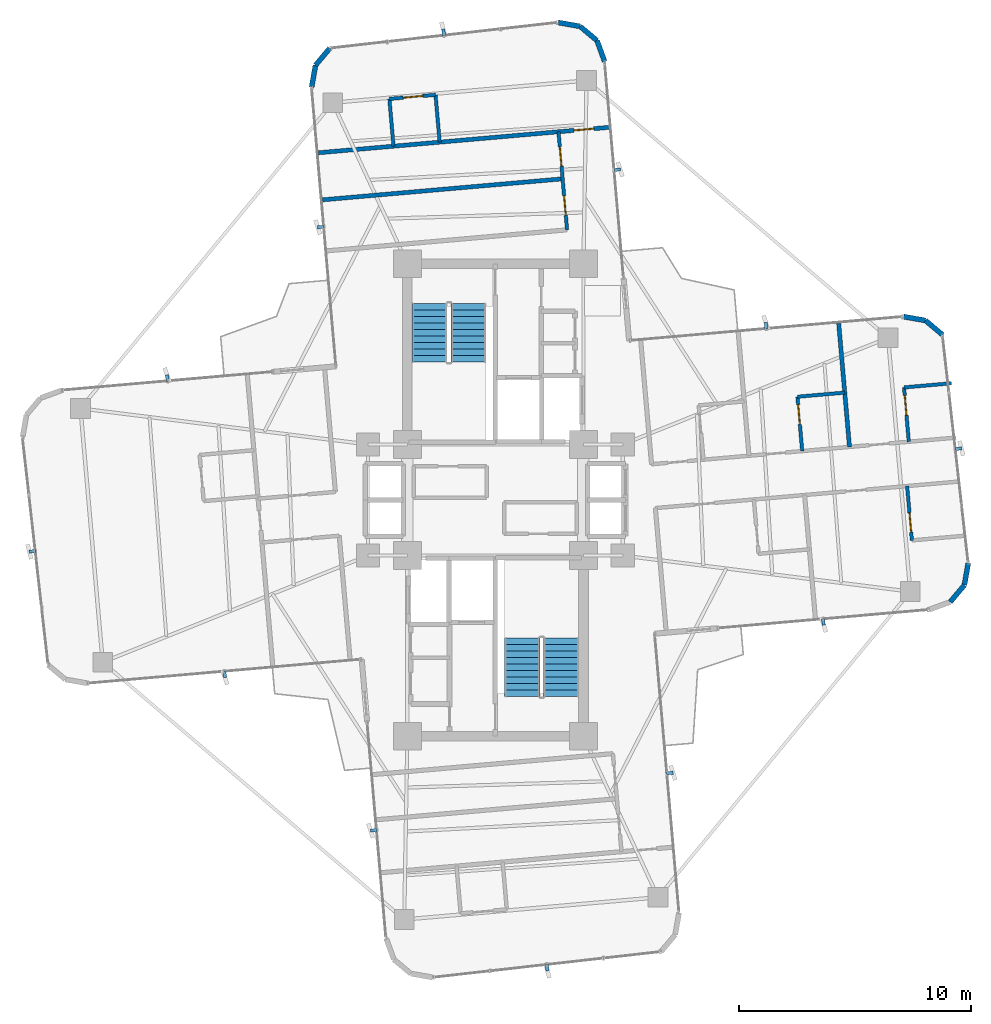
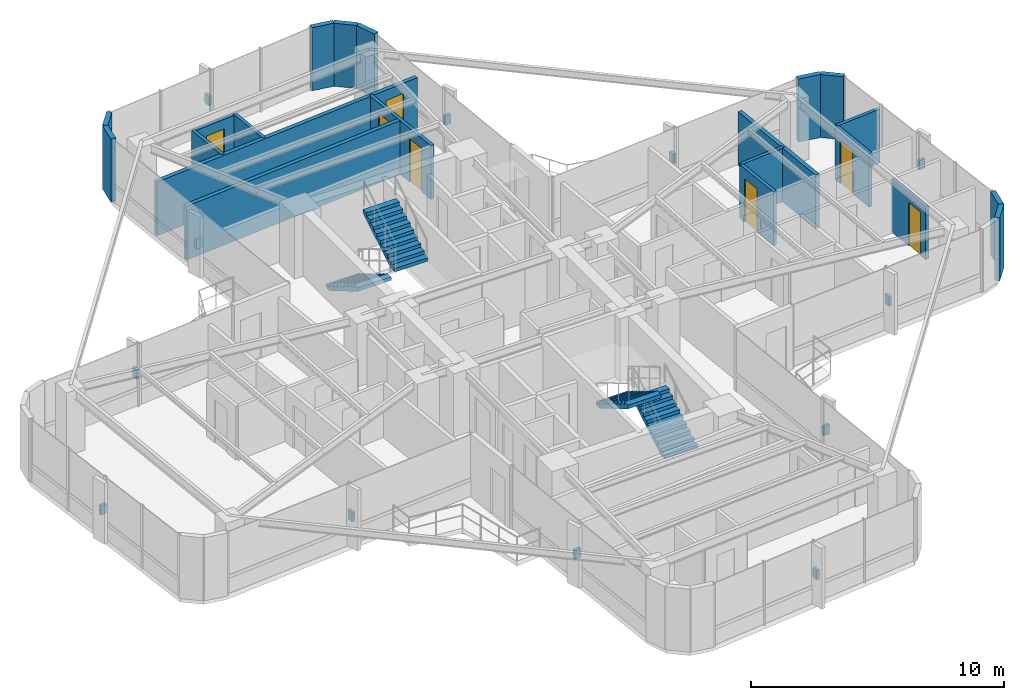
# One storey, part 23 of 24: 21 walls, 12 discrete accessories, 7 doors, 4 stair flights, 7 openings, 2 elements without a shape of their own.
"""IFC4 building model written with IfcOpenShell, lengths in metres."""

from ifc_helpers import new_model, si_unit, direction, frame, frame_2d, origin, origin_2d, place, context, subcontext, project, spatial, polyline, rectangle, outline, extrude, source, transform, mapped, material, layer, layer_set, type_object, element, fill, aggregate, save


model = new_model("IFC4")

# Units and contexts
model_context = context("Model", 3, precision=1e-05, world=origin(), true_north=direction((0.0, 1.0)))
body_context = subcontext(model_context, "Body", "Model", "MODEL_VIEW")
ifc_project = project(units=[si_unit("LENGTHUNIT", "METRE"), si_unit("AREAUNIT", "SQUARE_METRE"), si_unit("VOLUMEUNIT", "CUBIC_METRE"), si_unit("PLANEANGLEUNIT", "RADIAN"), si_unit("MASSUNIT", "GRAM", prefix="KILO")], contexts=[model_context])

# Site, building, storey
site_placement = place(None, origin())
site = spatial("IfcSite", under=ifc_project, at=site_placement, CompositionType="ELEMENT")
building_placement = place(site_placement, origin())
building = spatial("IfcBuilding", under=site, at=building_placement, Name="Sahyath Konkavel Grand Hotel", CompositionType="ELEMENT")
storey_placement = place(building_placement, frame((0.0, 0.0, 167.35009765625)))
storey = spatial("IfcBuildingStorey", under=building, at=storey_placement, Name="L46", CompositionType="ELEMENT", Elevation=167.35009765625)

# Walls
ifc_material_1 = material(Name="Warm Buff Sandstone Insulated Concrete C40/50", Category="masonry")
ifc_layer_1 = layer(ifc_material_1, 0.219970703125)
ifc_layer_set_1 = layer_set([ifc_layer_1], Name="Warm Buff Sandstone Insulated Concrete C40/50")
wall_type_1 = type_object("IfcWallType", Name="WLL-BALC-THRESH", PredefinedType="STANDARD", material=ifc_layer_set_1)
for number, where, z_axis, x_axis, name in (
    (1, (19.6337890625, -4.40771484375, 0.0), (0.0, 0.0, 1.0), (0.642863236823, 0.765980978054, 0.0), "L46 Rounded Corner Sandstone Pier 2"),
    (2, (20.24951171875, -3.674072265625, 0.0), (0.0, 0.0, 1.0), (0.173610811841, 0.984814340885, 0.0), "L46 Rounded Corner Sandstone Pier 3"),
):
    element("IfcWall", number, at=place(storey_placement, frame(where, z_axis=z_axis, x_axis=x_axis)), inside=storey, type_object=wall_type_1, Name=name, PredefinedType="STANDARD", context=body_context, shape_type="SweptSolid", body=[
        extrude(rectangle(XDim=0.957763671875, YDim=0.219970703125, at=frame_2d((0.47900390625, 0.0))), origin(), (0.0, 0.0, 1.0), 3.0498046875),
    ])
wall_1_placement = place(storey_placement, frame((19.3037109375, 7.134521484375, 0.0), z_axis=(0.0, 0.0, 1.0), x_axis=(-0.766001159887, 0.642839189107, 0.0)))
element("IfcWall", 3, at=wall_1_placement, inside=storey, type_object=wall_type_1, Name="L46 Rounded Corner Sandstone Pier 5", PredefinedType="STANDARD", context=body_context, shape_type="SweptSolid", body=[
    extrude(rectangle(XDim=0.95751953125, YDim=0.219970703125, at=frame_2d((0.478759765625, 0.0))), origin(), (0.0, 0.0, 1.0), 3.0498046875),
])
wall_2_placement = place(storey_placement, frame((18.5703125, 7.75, 0.0), z_axis=(0.0, 0.0, 1.0), x_axis=(-0.984770724397, 0.173858046606, 0.0)))
element("IfcWall", 4, at=wall_2_placement, inside=storey, type_object=wall_type_1, Name="L46 Rounded Corner Sandstone Pier 6", PredefinedType="STANDARD", context=body_context, shape_type="SweptSolid", body=[
    extrude(rectangle(XDim=0.957763671875, YDim=0.219970703125, at=frame_2d((0.47900390625, 0.0))), origin(), (0.0, 0.0, 1.0), 3.0498046875),
])
wall_3_placement = place(storey_placement, frame((4.7177734375, 18.93310546875, 0.0), z_axis=(0.0, 0.0, 1.0), x_axis=(-0.34188635151, 0.939741306239, 0.0)))
element("IfcWall", 5, at=wall_3_placement, inside=storey, type_object=wall_type_1, Name="L46 Rounded Corner Sandstone Pier 9", PredefinedType="STANDARD", context=body_context, shape_type="SweptSolid", body=[
    extrude(rectangle(XDim=0.95751953125, YDim=0.219970703125, at=frame_2d((0.478759765625, 0.0))), origin(), (0.0, 0.0, 1.0), 3.0498046875),
])
for number, where, z_axis, x_axis, name in (
    (6, (4.390380859375, 19.8330078125, 0.0), (0.0, 0.0, 1.0), (-0.765980978054, 0.642863236823, 0.0), "L46 Rounded Corner Sandstone Pier 10"),
    (7, (3.65673828125, 20.44873046875, 0.0), (0.0, 0.0, 1.0), (-0.984814340885, 0.173610811841, 0.0), "L46 Rounded Corner Sandstone Pier 11"),
):
    element("IfcWall", number, at=place(storey_placement, frame(where, z_axis=z_axis, x_axis=x_axis)), inside=storey, type_object=wall_type_1, Name=name, PredefinedType="STANDARD", context=body_context, shape_type="SweptSolid", body=[
        extrude(rectangle(XDim=0.957763671875, YDim=0.219970703125, at=frame_2d((0.47900390625, 0.0))), origin(), (0.0, 0.0, 1.0), 3.0498046875),
    ])
for number, where, z_axis, x_axis, name in (
    (8, (-7.152099609375, 19.5029296875, 0.0), (0.0, 0.0, 1.0), (-0.642713642115, -0.766106503196, 0.0), "L46 Rounded Corner Sandstone Pier 13"),
    (9, (-7.767578125, 18.769287109375, 0.0), (0.0, 0.0, 1.0), (-0.173654409999, -0.984806654064, 0.0), "L46 Rounded Corner Sandstone Pier 14"),
):
    element("IfcWall", number, at=place(storey_placement, frame(where, z_axis=z_axis, x_axis=x_axis)), inside=storey, type_object=wall_type_1, Name=name, PredefinedType="STANDARD", context=body_context, shape_type="SweptSolid", body=[
        extrude(rectangle(XDim=0.95751953125, YDim=0.219970703125, at=frame_2d((0.478759765625, 0.0))), origin(), (0.0, 0.0, 1.0), 3.0498046875),
    ])
ifc_material_2 = material(Name="Twin-Stud Acoustic Gypsum Plasterboard Partition")
ifc_layer_2 = layer(ifc_material_2, 0.179931640625)
ifc_layer_set_2 = layer_set([ifc_layer_2], Name="Twin-Stud Acoustic Gypsum Plasterboard Partition")
wall_type_2 = type_object("IfcWallType", Name="WLL-DEMISE-180", PredefinedType="PARTITIONING", material=ifc_layer_set_2)
wall_4_placement = place(storey_placement, frame((15.28857421875, 2.291259765625, 0.0), z_axis=(0.0, 0.0, 1.0), x_axis=(-0.087161289348, 0.996194212812, 0.0)))
element("IfcWall", 10, at=wall_4_placement, inside=storey, type_object=wall_type_2, Name="L46 Partition E-E2L-DEM", PredefinedType="PARTITIONING", context=body_context, shape_type="SweptSolid", body=[
    extrude(rectangle(XDim=5.349853515625, YDim=0.179931640625, at=frame_2d((2.6748046875, 0.0))), origin(), (0.0, 0.0, 1.0), 2.599853515625),
])
wall_5_placement = place(storey_placement, frame((2.902587890625, 13.86572265625, 0.0), z_axis=(0.0, 0.0, 1.0), x_axis=(-0.996194201607, -0.087161417409, 0.0)))
element("IfcWall", 11, at=wall_5_placement, inside=storey, type_object=wall_type_2, Name="L46 Partition N-NSL6-DEM", PredefinedType="PARTITIONING", context=body_context, shape_type="SweptSolid", body=[
    extrude(rectangle(XDim=10.400146484375, YDim=0.179931640625, at=frame_2d((5.2001953125, 0.0))), origin(), (0.0, 0.0, 1.0), 2.599853515625),
])

# Wall, opening, door
wall_6_placement = place(storey_placement, frame((4.91650390625, 16.089599609375, 0.0), z_axis=(0.0, 0.0, 1.0), x_axis=(-0.996196619285, -0.087133780622, 0.0)))
wall_6 = element("IfcWall", 12, at=wall_6_placement, inside=storey, type_object=wall_type_2, Name="L46 Partition N-NTIP-END", PredefinedType="PARTITIONING", context=body_context, shape_type="SweptSolid", body=[
    extrude(rectangle(XDim=12.60009765625, YDim=0.179931640625, at=frame_2d((6.300048828125, 0.0))), origin(), (0.0, 0.0, 1.0), 2.599853515625),
])
opening_1_placement = place(wall_6_placement, frame((0.675048828125, 0.0, 0.0)))
opening_1 = element("IfcOpeningElement", 13, at=opening_1_placement, cuts=wall_6, Name="Opening D-F06D", PredefinedType="OPENING", context=body_context, shape_type="SweptSolid", body=[
    extrude(rectangle(XDim=0.85009765625, YDim=2.10009765625, at=frame_2d((0.425048828125, 1.050048828125))), frame((0.0, 0.10009765625, 0.0), z_axis=(0.0, -1.0, 0.0), x_axis=(1.0, 0.0, 0.0)), (0.0, 0.0, 1.0), 0.199951171875),
])
ifc_material_3 = material(Name="Fire-Rated Shaft Access Door")
door_type_1 = type_object("IfcDoorType", Name="DR-FD60-850", OperationType="NOTDEFINED", PredefinedType="DOOR", material=ifc_material_3)
shared_shape_1 = source(origin(), body_context, "Body", "SweptSolid", [
    extrude(rectangle(XDim=0.85009765625, YDim=0.050048828125, at=origin_2d()), origin(), (0.0, 0.0, 1.0), 2.10009765625),
])
door_1_placement = place(opening_1_placement, frame((0.425048828125, 0.0, 0.0)))
door_1 = element("IfcDoor", 14, at=door_1_placement, inside=storey, type_object=door_type_1, Name="L46 Door N-NTIP-ED", OperationType="SINGLE_SWING_LEFT", OverallHeight=2.10009765625, OverallWidth=0.85009765625, PredefinedType="DOOR", context=body_context, shape_type="MappedRepresentation", body=[
    mapped(shared_shape_1, transform((0.0, 0.0, 0.0), scale=1.0)),
])
fill(opening_1, door_1)

ifc_material_4 = material(Name="Fire-Rated Gypsum Plasterboard Partition")
ifc_layer_3 = layer(ifc_material_4, 0.14990234375)
ifc_layer_set_3 = layer_set([ifc_layer_3], Name="Fire-Rated Gypsum Plasterboard Partition")
wall_type_3 = type_object("IfcWallType", Name="WLL-PART-150", PredefinedType="PARTITIONING", material=ifc_layer_set_3)
wall_7_placement = place(storey_placement, frame((13.246337890625, 2.112548828125, 0.0), z_axis=(0.0, 0.0, 1.0), x_axis=(-0.087224846905, 0.996188649846, 0.0)))
wall_7 = element("IfcWall", 15, at=wall_7_placement, inside=storey, type_object=wall_type_3, Name="L46 Partition E-E2L-BS", PredefinedType="PARTITIONING", context=body_context, shape_type="SweptSolid", body=[
    extrude(rectangle(XDim=2.35400390625, YDim=0.14990234375, at=frame_2d((1.177001953125, 0.0))), origin(), (0.0, 0.0, 1.0), 2.599853515625),
])
opening_2_placement = place(wall_7_placement, frame((1.154052734375, 0.0, 0.0)))
opening_2 = element("IfcOpeningElement", 16, at=opening_2_placement, cuts=wall_7, Name="Opening D-BT85", PredefinedType="OPENING", context=body_context, shape_type="SweptSolid", body=[
    extrude(rectangle(XDim=0.85009765625, YDim=2.10009765625, at=frame_2d((0.425048828125, 1.050048828125))), frame((0.0, 0.0849609375, 0.0), z_axis=(0.0, -1.0, 0.0), x_axis=(1.0, 0.0, 0.0)), (0.0, 0.0, 1.0), 0.169921875),
])
ifc_material_5 = material(Name="Moisture-Resistant Teak Bathroom Door")
door_type_2 = type_object("IfcDoorType", Name="DR-BATH-850", OperationType="NOTDEFINED", PredefinedType="DOOR", material=ifc_material_5)
door_2_placement = place(opening_2_placement, frame((0.425048828125, 0.0, 0.0)))
door_2 = element("IfcDoor", 17, at=door_2_placement, inside=storey, type_object=door_type_2, Name="L46 Door E-E2L-BD", OperationType="SINGLE_SWING_RIGHT", OverallHeight=2.10009765625, OverallWidth=0.85009765625, PredefinedType="DOOR", context=body_context, shape_type="MappedRepresentation", body=[
    mapped(shared_shape_1, transform((0.0, 0.0, 0.0), scale=1.0)),
])
fill(opening_2, door_2)

# Wall
wall_8_placement = place(storey_placement, frame((13.041015625, 4.45751953125, 0.0), z_axis=(0.0, 0.0, 1.0), x_axis=(0.99619307114, 0.087174336889, 0.0)))
element("IfcWall", 18, at=wall_8_placement, inside=storey, type_object=wall_type_3, Name="L46 Partition E-E2L-BF", PredefinedType="PARTITIONING", context=body_context, shape_type="SweptSolid", body=[
    extrude(rectangle(XDim=2.050048828125, YDim=0.14990234375, at=frame_2d((1.02490234375, 0.0))), origin(), (0.0, 0.0, 1.0), 2.599853515625),
])

# Wall, opening, door
wall_9_placement = place(storey_placement, frame((17.8486328125, 2.51513671875, 0.0), z_axis=(0.0, 0.0, 1.0), x_axis=(-0.087121918963, 0.996197656711, 0.0)))
wall_9 = element("IfcWall", 19, at=wall_9_placement, inside=storey, type_object=wall_type_3, Name="L46 Partition E-E3L-BS", PredefinedType="PARTITIONING", context=body_context, shape_type="SweptSolid", body=[
    extrude(rectangle(XDim=2.35400390625, YDim=0.14990234375, at=frame_2d((1.177001953125, 0.0))), origin(), (0.0, 0.0, 1.0), 2.599853515625),
])
opening_3_placement = place(wall_9_placement, frame((1.154052734375, 0.0, 0.0)))
opening_3 = element("IfcOpeningElement", 20, at=opening_3_placement, cuts=wall_9, Name="Opening D-BT85", PredefinedType="OPENING", context=body_context, shape_type="SweptSolid", body=[
    extrude(rectangle(XDim=0.85009765625, YDim=2.10009765625, at=frame_2d((0.425048828125, 1.050048828125))), frame((0.0, 0.0849609375, 0.0), z_axis=(0.0, -1.0, 0.0), x_axis=(1.0, 0.0, 0.0)), (0.0, 0.0, 1.0), 0.169921875),
])
door_3_placement = place(opening_3_placement, frame((0.425048828125, 0.0, 0.0)))
door_3 = element("IfcDoor", 21, at=door_3_placement, inside=storey, type_object=door_type_2, Name="L46 Door E-E3L-BD", OperationType="SINGLE_SWING_RIGHT", OverallHeight=2.10009765625, OverallWidth=0.85009765625, PredefinedType="DOOR", context=body_context, shape_type="MappedRepresentation", body=[
    mapped(shared_shape_1, transform((0.0, 0.0, 0.0), scale=1.0)),
])
fill(opening_3, door_3)

# Wall
wall_10_placement = place(storey_placement, frame((17.6435546875, 4.860107421875, 0.0), z_axis=(0.0, 0.0, 1.0), x_axis=(0.99619307114, 0.087174336889, 0.0)))
element("IfcWall", 22, at=wall_10_placement, inside=storey, type_object=wall_type_3, Name="L46 Partition E-E3L-BF", PredefinedType="PARTITIONING", context=body_context, shape_type="SweptSolid", body=[
    extrude(rectangle(XDim=2.050048828125, YDim=0.14990234375, at=frame_2d((1.02490234375, 0.0))), origin(), (0.0, 0.0, 1.0), 2.599853515625),
])

# Wall, opening, door
wall_11_placement = place(storey_placement, frame((17.776123046875, 0.6015625, 0.0), z_axis=(0.0, 0.0, 1.0), x_axis=(0.087224846905, -0.996188649846, 0.0)))
wall_11 = element("IfcWall", 23, at=wall_11_placement, inside=storey, type_object=wall_type_3, Name="L46 Partition E-E2R-BS", PredefinedType="PARTITIONING", context=body_context, shape_type="SweptSolid", body=[
    extrude(rectangle(XDim=2.35400390625, YDim=0.14990234375, at=frame_2d((1.177001953125, 0.0))), origin(), (0.0, 0.0, 1.0), 2.56982421875),
])
opening_4_placement = place(wall_11_placement, frame((1.154052734375, 0.0, 0.0)))
opening_4 = element("IfcOpeningElement", 24, at=opening_4_placement, cuts=wall_11, Name="Opening D-BT85", PredefinedType="OPENING", context=body_context, shape_type="SweptSolid", body=[
    extrude(rectangle(XDim=0.85009765625, YDim=2.10009765625, at=frame_2d((0.425048828125, 1.050048828125))), frame((0.0, 0.0849609375, 0.0), z_axis=(0.0, -1.0, 0.0), x_axis=(1.0, 0.0, 0.0)), (0.0, 0.0, 1.0), 0.169921875),
])
door_4_placement = place(opening_4_placement, frame((0.425048828125, 0.0, 0.0)))
door_4 = element("IfcDoor", 25, at=door_4_placement, inside=storey, type_object=door_type_2, Name="L46 Door E-E2R-BD", OperationType="SINGLE_SWING_RIGHT", OverallHeight=2.10009765625, OverallWidth=0.85009765625, PredefinedType="DOOR", context=body_context, shape_type="MappedRepresentation", body=[
    mapped(shared_shape_1, transform((0.0, 0.0, 0.0), scale=1.0)),
])
fill(opening_4, door_4)

# Wall, openings, doors
wall_12_placement = place(storey_placement, frame((3.09521484375, 11.6640625, 0.0), z_axis=(0.0, 0.0, 1.0), x_axis=(-0.087142722004, 0.996195837173, 0.0)))
wall_12 = element("IfcWall", 26, at=wall_12_placement, inside=storey, type_object=wall_type_3, Name="L46 Partition N-G6W", PredefinedType="PARTITIONING", context=body_context, shape_type="SweptSolid", body=[
    extrude(rectangle(XDim=4.25, YDim=0.14990234375, at=frame_2d((2.125, 0.0))), origin(), (0.0, 0.0, 1.0), 2.599853515625),
])
opening_5_placement = place(wall_12_placement, frame((0.6298828125, 0.0, 0.0)))
opening_5 = element("IfcOpeningElement", 27, at=opening_5_placement, cuts=wall_12, Name="Opening D-F06D", PredefinedType="OPENING", context=body_context, shape_type="SweptSolid", body=[
    extrude(rectangle(XDim=0.85009765625, YDim=2.10009765625, at=frame_2d((0.425048828125, 1.050048828125))), frame((0.0, 0.0849609375, 0.0), z_axis=(0.0, -1.0, 0.0), x_axis=(1.0, 0.0, 0.0)), (0.0, 0.0, 1.0), 0.169921875),
])
opening_6_placement = place(wall_12_placement, frame((2.7548828125, 0.0, 0.0)))
opening_6 = element("IfcOpeningElement", 28, at=opening_6_placement, cuts=wall_12, Name="Opening D-F06D", PredefinedType="OPENING", context=body_context, shape_type="SweptSolid", body=[
    extrude(rectangle(XDim=0.85009765625, YDim=2.10009765625, at=frame_2d((0.425048828125, 1.050048828125))), frame((0.0, 0.0849609375, 0.0), z_axis=(0.0, -1.0, 0.0), x_axis=(1.0, 0.0, 0.0)), (0.0, 0.0, 1.0), 0.169921875),
])
door_5_placement = place(opening_5_placement, frame((0.425048828125, 0.0, 0.0)))
door_5 = element("IfcDoor", 29, at=door_5_placement, inside=storey, type_object=door_type_1, Name="L46 Door N-NSL6-D", OperationType="SINGLE_SWING_RIGHT", OverallHeight=2.10009765625, OverallWidth=0.85009765625, PredefinedType="DOOR", context=body_context, shape_type="MappedRepresentation", body=[
    mapped(shared_shape_1, transform((0.0, 0.0, 0.0), scale=1.0)),
])
fill(opening_5, door_5)
door_6_placement = place(opening_6_placement, frame((0.425048828125, 0.0, 0.0)))
door_6 = element("IfcDoor", 30, at=door_6_placement, inside=storey, type_object=door_type_1, Name="L46 Door N-ND6-D", OperationType="SINGLE_SWING_LEFT", OverallHeight=2.10009765625, OverallWidth=0.85009765625, PredefinedType="DOOR", context=body_context, shape_type="MappedRepresentation", body=[
    mapped(shared_shape_1, transform((0.0, 0.0, 0.0), scale=1.0)),
])
fill(opening_6, door_6)

# Walls
for number, where, z_axis, x_axis, name in (
    (31, (-4.39794921875, 15.27490234375, 0.0), (0.0, 0.0, 1.0), (-0.087184680235, 0.996192165966, 0.0), "L46 Partition N-NTIP-BN"),
    (32, (-2.405517578125, 15.44921875, 0.0), (0.0, 0.0, 1.0), (-0.087184680235, 0.996192165966, 0.0), "L46 Partition N-NTIP-BS"),
):
    element("IfcWall", number, at=place(storey_placement, frame(where, z_axis=z_axis, x_axis=x_axis)), inside=storey, type_object=wall_type_3, Name=name, PredefinedType="PARTITIONING", context=body_context, shape_type="SweptSolid", body=[
        extrude(rectangle(XDim=2.0498046875, YDim=0.14990234375, at=frame_2d((1.02490234375, 0.0))), origin(), (0.0, 0.0, 1.0), 2.599853515625),
    ])

# Wall, opening, door
wall_13_placement = place(storey_placement, frame((-2.584228515625, 17.4912109375, 0.0), z_axis=(0.0, 0.0, 1.0), x_axis=(-0.99619464492, -0.087156350505, 0.0)))
wall_13 = element("IfcWall", 33, at=wall_13_placement, inside=storey, type_object=wall_type_3, Name="L46 Partition N-NTIP-BE", PredefinedType="PARTITIONING", context=body_context, shape_type="SweptSolid", body=[
    extrude(rectangle(XDim=2.0, YDim=0.14990234375, at=frame_2d((1.0, 0.0))), origin(), (0.0, 0.0, 1.0), 2.56982421875),
])
opening_7_placement = place(wall_13_placement, frame((0.550048828125, 0.0, 0.0)))
opening_7 = element("IfcOpeningElement", 34, at=opening_7_placement, cuts=wall_13, Name="Opening D-BT85", PredefinedType="OPENING", context=body_context, shape_type="SweptSolid", body=[
    extrude(rectangle(XDim=0.85009765625, YDim=2.10009765625, at=frame_2d((0.425048828125, 1.050048828125))), frame((0.0, 0.0849609375, 0.0), z_axis=(0.0, -1.0, 0.0), x_axis=(1.0, 0.0, 0.0)), (0.0, 0.0, 1.0), 0.169921875),
])
door_7_placement = place(opening_7_placement, frame((0.425048828125, 0.0, 0.0)))
door_7 = element("IfcDoor", 35, at=door_7_placement, inside=storey, type_object=door_type_2, Name="L46 Door N-NTIP-BD", OperationType="SINGLE_SWING_RIGHT", OverallHeight=2.10009765625, OverallWidth=0.85009765625, PredefinedType="DOOR", context=body_context, shape_type="MappedRepresentation", body=[
    mapped(shared_shape_1, transform((0.0, 0.0, 0.0), scale=1.0)),
])
fill(opening_7, door_7)

# Stair, stair flights
ifc_material_6 = material(Name="Concrete C40/50", Category="concrete")
stair_type = type_object("IfcStairType", Name="STR-ST16-335", PredefinedType="HALF_TURN_STAIR", material=ifc_material_6)
stair_1_placement = place(storey_placement, origin())
stair_1 = element("IfcStair", 36, at=stair_1_placement, inside=storey, type_object=stair_type, Name="L46 North Core Smokeproof Exit Stair ST-1", PredefinedType="HALF_TURN_STAIR")
stair_flight_type = type_object("IfcStairFlightType", Name="STF-ST16-335", PredefinedType="STRAIGHT", material=ifc_material_6)
stair_flight_1_placement = place(storey_placement, frame((-2.840087890625, 8.47998046875, 0.0), z_axis=(0.0, 0.0, 1.0), x_axis=(0.0, -1.0, 0.0)))
stair_flight_1 = element("IfcStairFlight", 37, at=stair_flight_1_placement, type_object=stair_flight_type, Name="ST-1 flight 1", NumberOfRisers=10, NumberOfTreads=9, PredefinedType="STRAIGHT", RiserHeight=0.1675, TreadLength=0.28, context=body_context, shape_type="SweptSolid", body=[
    extrude(outline(polyline([(0.0, 0.0), (0.0, 0.16748046875), (0.280029296875, 0.16748046875), (0.280029296875, 0.3349609375), (0.56005859375, 0.3349609375), (0.56005859375, 0.50244140625), (0.840087890625, 0.50244140625), (0.840087890625, 0.669921875), (1.1201171875, 0.669921875), (1.1201171875, 0.83740234375), (1.39990234375, 0.83740234375), (1.39990234375, 1.0048828125), (1.679931640625, 1.0048828125), (1.679931640625, 1.172607421875), (1.9599609375, 1.172607421875), (1.9599609375, 1.340087890625), (2.239990234375, 1.340087890625), (2.239990234375, 1.507568359375), (2.52001953125, 1.507568359375), (2.52001953125, 1.675048828125), (2.52001953125, 1.332763671875), (0.2919921875, 0.0), (0.0, 0.0)])), frame((0.0, 0.760009765625, 0.0), z_axis=(0.0, -1.0, 0.0), x_axis=(1.0, 0.0, 0.0)), (0.0, 0.0, 1.0), 1.52001953125),
])
stair_flight_2_placement = place(storey_placement, frame((-1.159912109375, 5.9599609375, 1.6748046875), z_axis=(0.0, 0.0, 1.0), x_axis=(0.0, 1.0, 0.0)))
stair_flight_2 = element("IfcStairFlight", 38, at=stair_flight_2_placement, type_object=stair_flight_type, Name="ST-1 flight 2", NumberOfRisers=10, NumberOfTreads=9, PredefinedType="STRAIGHT", RiserHeight=0.1675, TreadLength=0.28, context=body_context, shape_type="SweptSolid", body=[
    extrude(outline(polyline([(0.0, 0.0), (0.0, 0.16748046875), (0.280029296875, 0.16748046875), (0.280029296875, 0.3349609375), (0.56005859375, 0.3349609375), (0.56005859375, 0.50244140625), (0.840087890625, 0.50244140625), (0.840087890625, 0.669921875), (1.1201171875, 0.669921875), (1.1201171875, 0.83740234375), (1.39990234375, 0.83740234375), (1.39990234375, 1.0048828125), (1.679931640625, 1.0048828125), (1.679931640625, 1.172607421875), (1.9599609375, 1.172607421875), (1.9599609375, 1.340087890625), (2.239990234375, 1.340087890625), (2.239990234375, 1.507568359375), (2.52001953125, 1.507568359375), (2.52001953125, 1.675048828125), (2.52001953125, 1.332763671875), (0.2919921875, 0.0), (0.0, 0.0)])), frame((0.0, 0.760009765625, 0.0), z_axis=(0.0, -1.0, 0.0), x_axis=(1.0, 0.0, 0.0)), (0.0, 0.0, 1.0), 1.52001953125),
])
aggregate(stair_1, [stair_flight_1, stair_flight_2])

stair_2_placement = place(storey_placement, origin())
stair_2 = element("IfcStair", 39, at=stair_2_placement, inside=storey, type_object=stair_type, Name="L46 South Core Smokeproof Exit Stair ST-2", PredefinedType="HALF_TURN_STAIR")
stair_flight_3_placement = place(storey_placement, frame((2.840087890625, -8.47998046875, 0.0), z_axis=(0.0, 0.0, 1.0), x_axis=(0.0, 1.0, 0.0)))
stair_flight_3 = element("IfcStairFlight", 40, at=stair_flight_3_placement, type_object=stair_flight_type, Name="ST-2 flight 1", NumberOfRisers=10, NumberOfTreads=9, PredefinedType="STRAIGHT", RiserHeight=0.1675, TreadLength=0.28, context=body_context, shape_type="SweptSolid", body=[
    extrude(outline(polyline([(0.0, 0.0), (0.0, 0.16748046875), (0.280029296875, 0.16748046875), (0.280029296875, 0.3349609375), (0.56005859375, 0.3349609375), (0.56005859375, 0.50244140625), (0.840087890625, 0.50244140625), (0.840087890625, 0.669921875), (1.1201171875, 0.669921875), (1.1201171875, 0.83740234375), (1.39990234375, 0.83740234375), (1.39990234375, 1.0048828125), (1.679931640625, 1.0048828125), (1.679931640625, 1.172607421875), (1.9599609375, 1.172607421875), (1.9599609375, 1.340087890625), (2.239990234375, 1.340087890625), (2.239990234375, 1.507568359375), (2.52001953125, 1.507568359375), (2.52001953125, 1.675048828125), (2.52001953125, 1.332763671875), (0.2919921875, 0.0), (0.0, 0.0)])), frame((0.0, 0.760009765625, 0.0), z_axis=(0.0, -1.0, 0.0), x_axis=(1.0, 0.0, 0.0)), (0.0, 0.0, 1.0), 1.52001953125),
])
stair_flight_4_placement = place(storey_placement, frame((1.159912109375, -5.9599609375, 1.6748046875), z_axis=(0.0, 0.0, 1.0), x_axis=(0.0, -1.0, 0.0)))
stair_flight_4 = element("IfcStairFlight", 41, at=stair_flight_4_placement, type_object=stair_flight_type, Name="ST-2 flight 2", NumberOfRisers=10, NumberOfTreads=9, PredefinedType="STRAIGHT", RiserHeight=0.1675, TreadLength=0.28, context=body_context, shape_type="SweptSolid", body=[
    extrude(outline(polyline([(0.0, 0.0), (0.0, 0.16748046875), (0.280029296875, 0.16748046875), (0.280029296875, 0.3349609375), (0.56005859375, 0.3349609375), (0.56005859375, 0.50244140625), (0.840087890625, 0.50244140625), (0.840087890625, 0.669921875), (1.1201171875, 0.669921875), (1.1201171875, 0.83740234375), (1.39990234375, 0.83740234375), (1.39990234375, 1.0048828125), (1.679931640625, 1.0048828125), (1.679931640625, 1.172607421875), (1.9599609375, 1.172607421875), (1.9599609375, 1.340087890625), (2.239990234375, 1.340087890625), (2.239990234375, 1.507568359375), (2.52001953125, 1.507568359375), (2.52001953125, 1.675048828125), (2.52001953125, 1.332763671875), (0.2919921875, 0.0), (0.0, 0.0)])), frame((0.0, 0.760009765625, 0.0), z_axis=(0.0, -1.0, 0.0), x_axis=(1.0, 0.0, 0.0)), (0.0, 0.0, 1.0), 1.52001953125),
])
aggregate(stair_2, [stair_flight_3, stair_flight_4])

# Discrete accessories
ifc_material_7 = material(Name="Steel E350", Category="steel")
discrete_accessory_type = type_object("IfcDiscreteAccessoryType", Name="ACC-FIN-BRACKET", PredefinedType="BRACKET", material=ifc_material_7)
shared_shape_2 = source(origin(), body_context, "Body", "SweptSolid", [
    extrude(rectangle(XDim=0.280029296875, YDim=0.139892578125, at=origin_2d()), origin(), (0.0, 0.0, 1.0), 0.449951171875),
])
for number, where, z_axis, x_axis, name in (
    (42, (14.162841796875, -5.265625, 1.2998046875), (0.0, 0.0, 1.0), (0.087155742748, -0.996194698092, 0.0), "L46 Fin Support Bracket F0-1"),
    (43, (19.989013671875, 2.21630859375, 1.2998046875), (0.0, 0.0, 1.0), (0.993709417943, 0.111989252568, 0.0), "L46 Fin Support Bracket F4-2"),
    (44, (11.6884765625, 7.52734375, 1.2998046875), (0.0, 0.0, 1.0), (-0.087155742748, 0.996194698092, 0.0), "L46 Fin Support Bracket F7-1"),
    (45, (5.2568359375, 14.262451171875, 1.2998046875), (0.0, 0.0, 1.0), (0.996194698092, 0.087155742748, 0.0), "L46 Fin Support Bracket F8-1"),
    (46, (-2.23388671875, 20.188232421875, 1.2998046875), (0.0, 0.0, 1.0), (-0.112006596052, 0.993707463211, 0.0), "L46 Fin Support Bracket F12-2"),
    (47, (-7.5361328125, 11.7880859375, 1.2998046875), (0.0, 0.0, 1.0), (-0.996194698092, -0.087155742748, 0.0), "L46 Fin Support Bracket F15-1"),
    (48, (-14.162841796875, 5.265625, 1.2998046875), (0.0, 0.0, 1.0), (-0.087155742748, 0.996194698092, 0.0), "L46 Fin Support Bracket F16-1"),
    (49, (-19.989013671875, -2.21630859375, 1.2998046875), (0.0, 0.0, 1.0), (-0.993709417943, -0.111989252568, 0.0), "L46 Fin Support Bracket F20-2"),
    (50, (-11.6884765625, -7.52734375, 1.2998046875), (0.0, 0.0, 1.0), (0.087155742748, -0.996194698092, 0.0), "L46 Fin Support Bracket F23-1"),
    (51, (-5.2568359375, -14.262451171875, 1.2998046875), (0.0, 0.0, 1.0), (-0.996194698092, -0.087155742748, 0.0), "L46 Fin Support Bracket F24-1"),
    (52, (2.23388671875, -20.188232421875, 1.2998046875), (0.0, 0.0, 1.0), (0.112006596052, -0.993707463211, 0.0), "L46 Fin Support Bracket F28-2"),
    (53, (7.5361328125, -11.7880859375, 1.2998046875), (0.0, 0.0, 1.0), (0.996194698092, 0.087155742748, 0.0), "L46 Fin Support Bracket F31-1"),
):
    element("IfcDiscreteAccessory", number, at=place(storey_placement, frame(where, z_axis=z_axis, x_axis=x_axis)), inside=storey, type_object=discrete_accessory_type, Name=name, PredefinedType="BRACKET", context=body_context, shape_type="MappedRepresentation", body=[
        mapped(shared_shape_2, transform((0.0, 0.0, 0.0), scale=1.0)),
    ])

save(model, "model.ifc")
